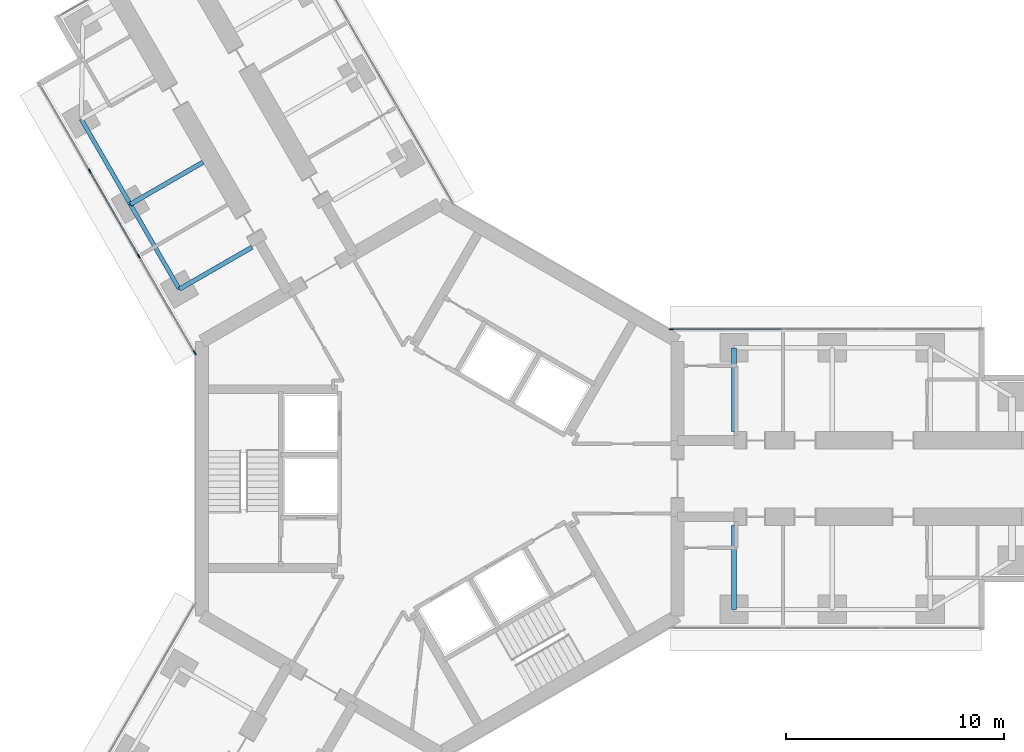
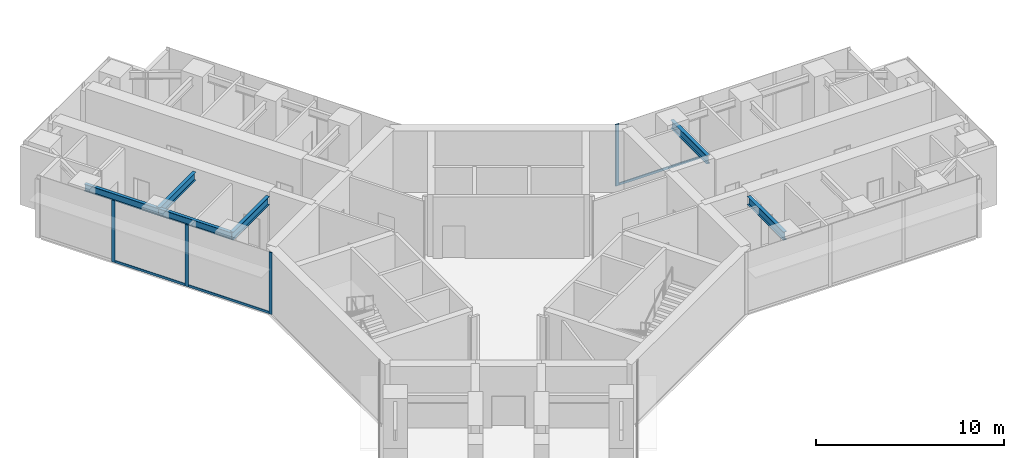
# One storey, part 5 of 22: 7 members, 6 beams, 2 elements without a shape of their own.
"""IFC4 building model written with IfcOpenShell, lengths in metres."""

from ifc_helpers import new_model, si_unit, direction, frame, origin, origin_2d, place, context, subcontext, project, spatial, rectangle, i_section, extrude, material, material_profile, profile_set, type_object, element, aggregate, save


model = new_model("IFC4")

# Units and contexts
model_context = context("Model", 3, precision=1e-05, world=origin(), true_north=direction((0.0, 1.0)))
body_context = subcontext(model_context, "Body", "Model", "MODEL_VIEW")
ifc_project = project(units=[si_unit("LENGTHUNIT", "METRE"), si_unit("AREAUNIT", "SQUARE_METRE"), si_unit("VOLUMEUNIT", "CUBIC_METRE"), si_unit("PLANEANGLEUNIT", "RADIAN"), si_unit("MASSUNIT", "GRAM", prefix="KILO")], contexts=[model_context])

# Site, building, storey
site_placement = place(None, origin())
site = spatial("IfcSite", under=ifc_project, at=site_placement, CompositionType="ELEMENT")
building_placement = place(site_placement, origin())
building = spatial("IfcBuilding", under=site, at=building_placement, Name="Upepo Twin Towers", CompositionType="ELEMENT")
storey_placement = place(building_placement, frame((0.0, 0.0, 121.5)))
storey = spatial("IfcBuildingStorey", under=building, at=storey_placement, Name="L29", CompositionType="ELEMENT", Elevation=121.5)

# Beams
ifc_material_1 = material(Name="Steel S355", Category="steel")
ifc_material_profile_1 = material_profile(ifc_material_1, i_section(OverallWidth=0.1904296875, OverallDepth=0.45703125, WebThickness=0.009033203125, FlangeThickness=0.014404296875, FilletRadius=0.01025390625, at=origin_2d()), Name="UB 457x191x74")
ifc_profile_set_1 = profile_set([ifc_material_profile_1], Name="Steel S355")
beam_type_1 = type_object("IfcBeamType", Name="Beam UB 457x191x74", PredefinedType="BEAM", material=ifc_profile_set_1)
beam_1_placement = place(storey_placement, frame((-11.946044921875, 8.69140625, 3.571533203125), z_axis=(-0.500013631625, 0.866017533419, 0.0), x_axis=(-0.866017533419, -0.500013631625, 0.0)))
element("IfcBeam", 1, at=beam_1_placement, inside=storey, type_object=beam_type_1, Name="T1 edge beam BL 13.5-18.0", PredefinedType="BEAM", context=body_context, shape_type="SweptSolid", body=[
    extrude(i_section(OverallWidth=0.1904296875, OverallDepth=0.45703125, WebThickness=0.009033203125, FlangeThickness=0.014404296875, FilletRadius=0.01025390625, at=origin_2d()), origin(), (0.0, 0.0, 1.0), 4.499755859375),
])
beam_2_placement = place(storey_placement, frame((-14.196044921875, 12.58837890625, 3.571533203125), z_axis=(-0.499990139034, 0.866031096941, 0.0), x_axis=(-0.866031096941, -0.499990139034, 0.0)))
element("IfcBeam", 2, at=beam_2_placement, inside=storey, type_object=beam_type_1, Name="T1 edge beam BL 18.0-22.5", PredefinedType="BEAM", context=body_context, shape_type="SweptSolid", body=[
    extrude(i_section(OverallWidth=0.1904296875, OverallDepth=0.45703125, WebThickness=0.009033203125, FlangeThickness=0.014404296875, FilletRadius=0.01025390625, at=origin_2d()), origin(), (0.0, 0.0, 1.0), 4.5),
])
ifc_material_2 = material(Name="Steel S355", Category="steel")
ifc_material_profile_2 = material_profile(ifc_material_2, i_section(OverallWidth=0.209228515625, OverallDepth=0.533203125, WebThickness=0.010009765625, FlangeThickness=0.015625, FilletRadius=0.0126953125, at=origin_2d()), Name="UB 533x210x92")
ifc_profile_set_2 = profile_set([ifc_material_profile_2], Name="Steel S355")
beam_type_2 = type_object("IfcBeamType", Name="Beam UB 533x210x92", PredefinedType="BEAM", material=ifc_profile_set_2)
for number, where, z_axis, x_axis, name in (
    (3, (13.5, 6.0, 3.533447265625), (0.0, -1.0, 0.0), (1.0, 0.0, 0.0), "T1 girder AL at 13.5"),
    (4, (13.5, -6.0, 3.533447265625), (0.0, 1.0, 0.0), (-1.0, 0.0, 0.0), "T1 girder AR at 13.5"),
):
    element("IfcBeam", number, at=place(storey_placement, frame(where, z_axis=z_axis, x_axis=x_axis)), inside=storey, type_object=beam_type_2, Name=name, PredefinedType="BEAM", context=body_context, shape_type="SweptSolid", body=[
        extrude(i_section(OverallWidth=0.209228515625, OverallDepth=0.533203125, WebThickness=0.010009765625, FlangeThickness=0.015625, FilletRadius=0.0126953125, at=origin_2d()), origin(), (0.0, 0.0, 1.0), 3.85009765625),
    ])
for number, where, z_axis, x_axis, name in (
    (5, (-11.946044921875, 8.69140625, 3.533447265625), (0.866006051527, 0.500033517596, 0.0), (-0.500033517596, 0.866006051527, 0.0), "T1 girder BL at 13.5"),
    (6, (-14.196044921875, 12.58837890625, 3.533447265625), (0.866006051527, 0.500033517596, 0.0), (-0.500033517596, 0.866006051527, 0.0), "T1 girder BL at 18.0"),
):
    element("IfcBeam", number, at=place(storey_placement, frame(where, z_axis=z_axis, x_axis=x_axis)), inside=storey, type_object=beam_type_2, Name=name, PredefinedType="BEAM", context=body_context, shape_type="SweptSolid", body=[
        extrude(i_section(OverallWidth=0.209228515625, OverallDepth=0.533203125, WebThickness=0.010009765625, FlangeThickness=0.015625, FilletRadius=0.0126953125, at=origin_2d()), origin(), (0.0, 0.0, 1.0), 3.849853515625),
    ])

# Curtain wall, member
ifc_material_3 = material(Name="Aluminium and fritted glass", Category="aluminium")
curtain_wall_type = type_object("IfcCurtainWallType", Name="Tower curtain wall TW2, fritted glass", PredefinedType="NOTDEFINED", material=ifc_material_3)
curtain_wall_1_placement = place(storey_placement, origin())
curtain_wall_1 = element("IfcCurtainWall", 7, at=curtain_wall_1_placement, inside=storey, type_object=curtain_wall_type, Name="T1 L29 wing A flank L curtain wall", PredefinedType="NOTDEFINED")
ifc_material_4 = material(Name="Aluminium mullion", Category="aluminium")
ifc_material_profile_3 = material_profile(ifc_material_4, rectangle(XDim=0.06494140625, YDim=0.199951171875, at=origin_2d()), Name="MULLION 65x200")
ifc_profile_set_3 = profile_set([ifc_material_profile_3], Name="Aluminium mullion")
member_type_1 = type_object("IfcMemberType", Name="Mullion 65x200 TW2", PredefinedType="MULLION", material=ifc_profile_set_3)
member_1_placement = place(storey_placement, frame((10.61962890625, 6.85009765625, 0.0), z_axis=(0.0, 0.0, 1.0), x_axis=(0.0, 1.0, 0.0)))
member_1 = element("IfcMember", 8, at=member_1_placement, type_object=member_type_1, Name="T1 L29 wing A flank L curtain wall mullion 1", PredefinedType="MULLION", context=body_context, shape_type="SweptSolid", body=[
    extrude(rectangle(XDim=0.06494140625, YDim=0.199951171875, at=origin_2d()), origin(), (0.0, 0.0, 1.0), 4.0),
])

# Curtain wall, members
curtain_wall_2_placement = place(storey_placement, origin())
curtain_wall_2 = element("IfcCurtainWall", 9, at=curtain_wall_2_placement, inside=storey, type_object=curtain_wall_type, Name="T1 L29 wing B flank L curtain wall", PredefinedType="NOTDEFINED")
member_2_placement = place(storey_placement, frame((-11.2421875, 5.77197265625, 0.0), z_axis=(0.0, 0.0, 1.0), x_axis=(-0.866025397833, -0.500000010308, 0.0)))
member_2 = element("IfcMember", 10, at=member_2_placement, type_object=member_type_1, Name="T1 L29 wing B flank L curtain wall mullion 1", PredefinedType="MULLION", context=body_context, shape_type="SweptSolid", body=[
    extrude(rectangle(XDim=0.06494140625, YDim=0.199951171875, at=origin_2d()), origin(), (0.0, 0.0, 1.0), 4.0),
])
member_3_placement = place(storey_placement, frame((-13.807373046875, 10.21484375, 0.0), z_axis=(0.0, 0.0, 1.0), x_axis=(-0.866025397833, -0.500000010308, 0.0)))
member_3 = element("IfcMember", 11, at=member_3_placement, type_object=member_type_1, Name="T1 L29 wing B flank L curtain wall mullion 2", PredefinedType="MULLION", context=body_context, shape_type="SweptSolid", body=[
    extrude(rectangle(XDim=0.06494140625, YDim=0.199951171875, at=origin_2d()), origin(), (0.0, 0.0, 1.0), 4.0),
])
member_4_placement = place(storey_placement, frame((-16.057373046875, 14.112060546875, 0.0), z_axis=(0.0, 0.0, 1.0), x_axis=(-0.866025397833, -0.500000010308, 0.0)))
member_4 = element("IfcMember", 12, at=member_4_placement, type_object=member_type_1, Name="T1 L29 wing B flank L curtain wall mullion 3", PredefinedType="MULLION", context=body_context, shape_type="SweptSolid", body=[
    extrude(rectangle(XDim=0.06494140625, YDim=0.199951171875, at=origin_2d()), origin(), (0.0, 0.0, 1.0), 4.0),
])

# Member
ifc_material_5 = material(Name="Aluminium transom", Category="aluminium")
ifc_material_profile_4 = material_profile(ifc_material_5, rectangle(XDim=0.06494140625, YDim=0.14990234375, at=origin_2d()), Name="TRANSOM 65x150")
ifc_profile_set_4 = profile_set([ifc_material_profile_4], Name="Aluminium transom")
member_type_2 = type_object("IfcMemberType", Name="Transom 65x150 TW2", PredefinedType="USERDEFINED", material=ifc_profile_set_4)
member_5_placement = place(storey_placement, frame((10.652099609375, 6.85009765625, 0.074951171875), z_axis=(1.0, 0.0, 0.0), x_axis=(0.0, 1.0, 0.0)))
member_5 = element("IfcMember", 13, at=member_5_placement, type_object=member_type_2, Name="T1 L29 wing A flank L curtain wall transom 1", ObjectType="TRANSOM", PredefinedType="USERDEFINED", context=body_context, shape_type="SweptSolid", body=[
    extrude(rectangle(XDim=0.06494140625, YDim=0.14990234375, at=origin_2d()), origin(), (0.0, 0.0, 1.0), 5.0654296875),
])

aggregate(curtain_wall_1, [member_1, member_5])

member_6_placement = place(storey_placement, frame((-11.25830078125, 5.800048828125, 0.074951171875), z_axis=(-0.500006158363, 0.866021848223, 0.0), x_axis=(-0.866021848223, -0.500006158363, 0.0)))
member_6 = element("IfcMember", 14, at=member_6_placement, type_object=member_type_2, Name="T1 L29 wing B flank L curtain wall transom 1", ObjectType="TRANSOM", PredefinedType="USERDEFINED", context=body_context, shape_type="SweptSolid", body=[
    extrude(rectangle(XDim=0.06494140625, YDim=0.14990234375, at=origin_2d()), origin(), (0.0, 0.0, 1.0), 5.0654296875),
])

member_7_placement = place(storey_placement, frame((-13.823486328125, 10.2431640625, 0.074951171875), z_axis=(-0.500005184116, 0.866022410713, 0.0), x_axis=(-0.866022410713, -0.500005184116, 0.0)))
member_7 = element("IfcMember", 15, at=member_7_placement, type_object=member_type_2, Name="T1 L29 wing B flank L curtain wall transom 2", ObjectType="TRANSOM", PredefinedType="USERDEFINED", context=body_context, shape_type="SweptSolid", body=[
    extrude(rectangle(XDim=0.06494140625, YDim=0.14990234375, at=origin_2d()), origin(), (0.0, 0.0, 1.0), 4.43505859375),
])

aggregate(curtain_wall_2, [member_2, member_3, member_4, member_6, member_7])

save(model, "model.ifc")
